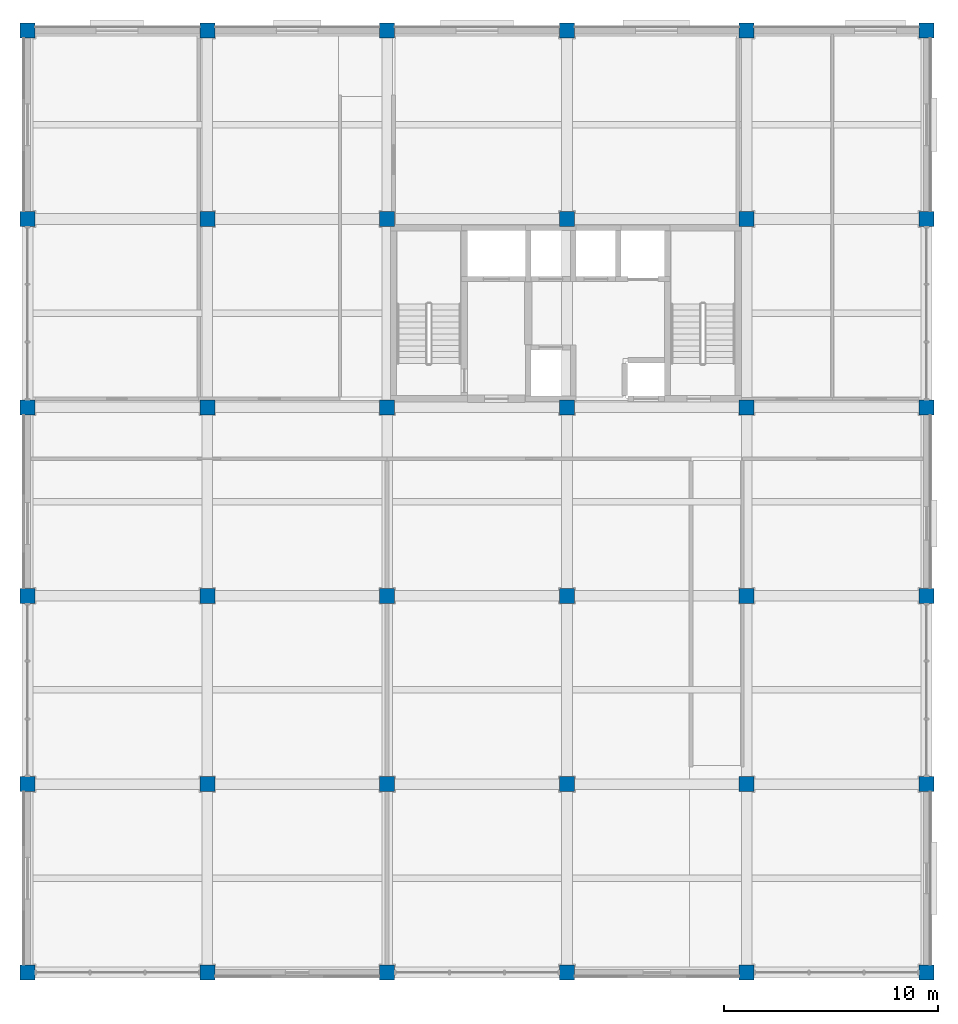
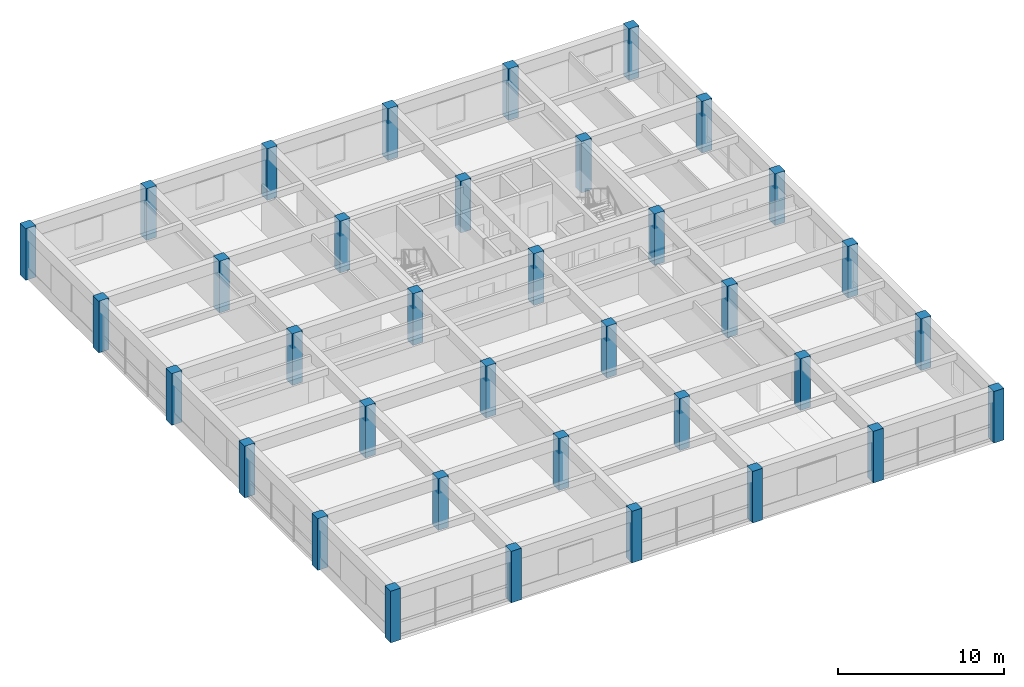
# One storey, part 1 of 12: 36 columns.
"""IFC4 building model written with IfcOpenShell, lengths in metres."""

from ifc_helpers import new_model, si_unit, direction, frame, origin, origin_2d, place, context, subcontext, project, spatial, rectangle, extrude, material, material_profile, profile_set, type_object, element, save


model = new_model("IFC4")

# Units and contexts
model_context = context("Model", 3, precision=1e-05, world=origin(), true_north=direction((0.0, 1.0)))
body_context = subcontext(model_context, "Body", "Model", "MODEL_VIEW")
ifc_project = project(units=[si_unit("LENGTHUNIT", "METRE"), si_unit("AREAUNIT", "SQUARE_METRE"), si_unit("VOLUMEUNIT", "CUBIC_METRE"), si_unit("PLANEANGLEUNIT", "RADIAN"), si_unit("MASSUNIT", "GRAM", prefix="KILO")], contexts=[model_context])

# Site, building, storey
site_placement = place(None, origin())
site = spatial("IfcSite", under=ifc_project, at=site_placement, CompositionType="ELEMENT")
building_placement = place(site_placement, origin())
building = spatial("IfcBuilding", under=site, at=building_placement, Name="Kemercrest Conservatory and Botanical Centre", CompositionType="ELEMENT")
storey_placement = place(building_placement, frame((0.0, 0.0, 21.0)))
storey = spatial("IfcBuildingStorey", under=building, at=storey_placement, Name="L05", CompositionType="ELEMENT", Elevation=21.0)

# Columns
ifc_material = material(Name="Concrete C50/60", Category="concrete")
ifc_material_profile = material_profile(ifc_material, rectangle(XDim=0.699951171875, YDim=0.699951171875, at=origin_2d()), Name="RC 700x700")
ifc_profile_set = profile_set([ifc_material_profile], Name="Concrete C50/60")
column_type = type_object("IfcColumnType", Name="C-RC70", PredefinedType="COLUMN", material=ifc_profile_set)
for number, where, z_axis, x_axis, name in (
    (1, (134.0, 78.39990234375, 0.0), (0.0, 0.0, 1.0), (1.0, 0.0, 0.0), "Tower column C-RC70 16/J"),
    (2, (134.0, 87.199951171875, 0.0), (0.0, 0.0, 1.0), (1.0, 0.0, 0.0), "Tower column C-RC70 16/K"),
    (3, (134.0, 96.0, 0.0), (0.0, 0.0, 1.0), (1.0, 0.0, 0.0), "Tower column C-RC70 16/L"),
    (4, (134.0, 104.800048828125, 0.0), (0.0, 0.0, 1.0), (1.0, 0.0, 0.0), "Tower column C-RC70 16/M"),
    (5, (134.0, 113.60009765625, 0.0), (0.0, 0.0, 1.0), (1.0, 0.0, 0.0), "Tower column C-RC70 16/N"),
    (6, (134.0, 122.39990234375, 0.0), (0.0, 0.0, 1.0), (1.0, 0.0, 0.0), "Tower column C-RC70 16/P"),
    (7, (142.39990234375, 78.39990234375, 0.0), (0.0, 0.0, 1.0), (1.0, 0.0, 0.0), "Tower column C-RC70 17/J"),
    (8, (142.39990234375, 87.199951171875, 0.0), (0.0, 0.0, 1.0), (1.0, 0.0, 0.0), "Tower column C-RC70 17/K"),
    (9, (142.39990234375, 96.0, 0.0), (0.0, 0.0, 1.0), (1.0, 0.0, 0.0), "Tower column C-RC70 17/L"),
    (10, (142.39990234375, 104.800048828125, 0.0), (0.0, 0.0, 1.0), (1.0, 0.0, 0.0), "Tower column C-RC70 17/M"),
    (11, (142.39990234375, 113.60009765625, 0.0), (0.0, 0.0, 1.0), (1.0, 0.0, 0.0), "Tower column C-RC70 17/N"),
    (12, (142.39990234375, 122.39990234375, 0.0), (0.0, 0.0, 1.0), (1.0, 0.0, 0.0), "Tower column C-RC70 17/P"),
    (13, (150.800048828125, 78.39990234375, 0.0), (0.0, 0.0, 1.0), (1.0, 0.0, 0.0), "Tower column C-RC70 18/J"),
    (14, (150.800048828125, 87.199951171875, 0.0), (0.0, 0.0, 1.0), (1.0, 0.0, 0.0), "Tower column C-RC70 18/K"),
    (15, (150.800048828125, 96.0, 0.0), (0.0, 0.0, 1.0), (1.0, 0.0, 0.0), "Tower column C-RC70 18/L"),
    (16, (150.800048828125, 104.800048828125, 0.0), (0.0, 0.0, 1.0), (1.0, 0.0, 0.0), "Tower column C-RC70 18/M"),
    (17, (150.800048828125, 113.60009765625, 0.0), (0.0, 0.0, 1.0), (1.0, 0.0, 0.0), "Tower column C-RC70 18/N"),
    (18, (150.800048828125, 122.39990234375, 0.0), (0.0, 0.0, 1.0), (1.0, 0.0, 0.0), "Tower column C-RC70 18/P"),
    (19, (159.199951171875, 78.39990234375, 0.0), (0.0, 0.0, 1.0), (1.0, 0.0, 0.0), "Tower column C-RC70 19/J"),
    (20, (159.199951171875, 87.199951171875, 0.0), (0.0, 0.0, 1.0), (1.0, 0.0, 0.0), "Tower column C-RC70 19/K"),
    (21, (159.199951171875, 96.0, 0.0), (0.0, 0.0, 1.0), (1.0, 0.0, 0.0), "Tower column C-RC70 19/L"),
    (22, (159.199951171875, 104.800048828125, 0.0), (0.0, 0.0, 1.0), (1.0, 0.0, 0.0), "Tower column C-RC70 19/M"),
    (23, (159.199951171875, 113.60009765625, 0.0), (0.0, 0.0, 1.0), (1.0, 0.0, 0.0), "Tower column C-RC70 19/N"),
    (24, (159.199951171875, 122.39990234375, 0.0), (0.0, 0.0, 1.0), (1.0, 0.0, 0.0), "Tower column C-RC70 19/P"),
    (25, (167.60009765625, 78.39990234375, 0.0), (0.0, 0.0, 1.0), (1.0, 0.0, 0.0), "Tower column C-RC70 20/J"),
    (26, (167.60009765625, 87.199951171875, 0.0), (0.0, 0.0, 1.0), (1.0, 0.0, 0.0), "Tower column C-RC70 20/K"),
    (27, (167.60009765625, 96.0, 0.0), (0.0, 0.0, 1.0), (1.0, 0.0, 0.0), "Tower column C-RC70 20/L"),
    (28, (167.60009765625, 104.800048828125, 0.0), (0.0, 0.0, 1.0), (1.0, 0.0, 0.0), "Tower column C-RC70 20/M"),
    (29, (167.60009765625, 113.60009765625, 0.0), (0.0, 0.0, 1.0), (1.0, 0.0, 0.0), "Tower column C-RC70 20/N"),
    (30, (167.60009765625, 122.39990234375, 0.0), (0.0, 0.0, 1.0), (1.0, 0.0, 0.0), "Tower column C-RC70 20/P"),
    (31, (176.0, 78.39990234375, 0.0), (0.0, 0.0, 1.0), (1.0, 0.0, 0.0), "Tower column C-RC70 21/J"),
    (32, (176.0, 87.199951171875, 0.0), (0.0, 0.0, 1.0), (1.0, 0.0, 0.0), "Tower column C-RC70 21/K"),
    (33, (176.0, 96.0, 0.0), (0.0, 0.0, 1.0), (1.0, 0.0, 0.0), "Tower column C-RC70 21/L"),
    (34, (176.0, 104.800048828125, 0.0), (0.0, 0.0, 1.0), (1.0, 0.0, 0.0), "Tower column C-RC70 21/M"),
    (35, (176.0, 113.60009765625, 0.0), (0.0, 0.0, 1.0), (1.0, 0.0, 0.0), "Tower column C-RC70 21/N"),
    (36, (176.0, 122.39990234375, 0.0), (0.0, 0.0, 1.0), (1.0, 0.0, 0.0), "Tower column C-RC70 21/P"),
):
    element("IfcColumn", number, at=place(storey_placement, frame(where, z_axis=z_axis, x_axis=x_axis)), inside=storey, type_object=column_type, Name=name, PredefinedType="COLUMN", context=body_context, shape_type="SweptSolid", body=[
        extrude(rectangle(XDim=0.699951171875, YDim=0.699951171875, at=origin_2d()), origin(), (0.0, 0.0, 1.0), 3.800048828125),
    ])

save(model, "model.ifc")
